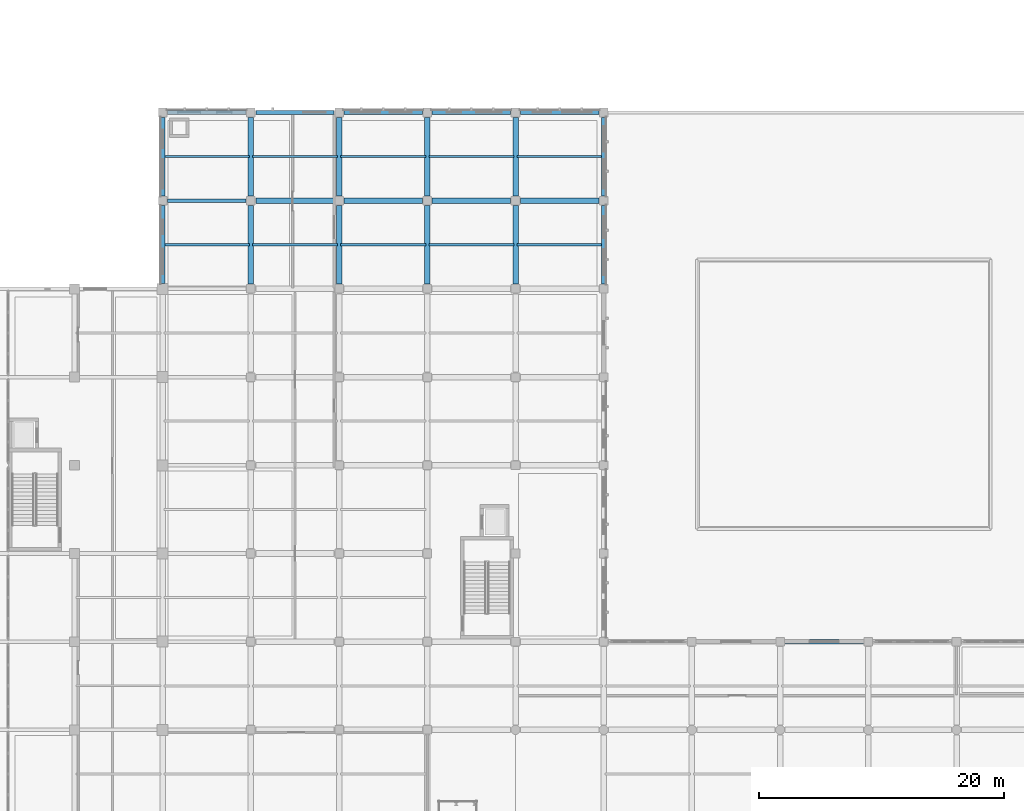
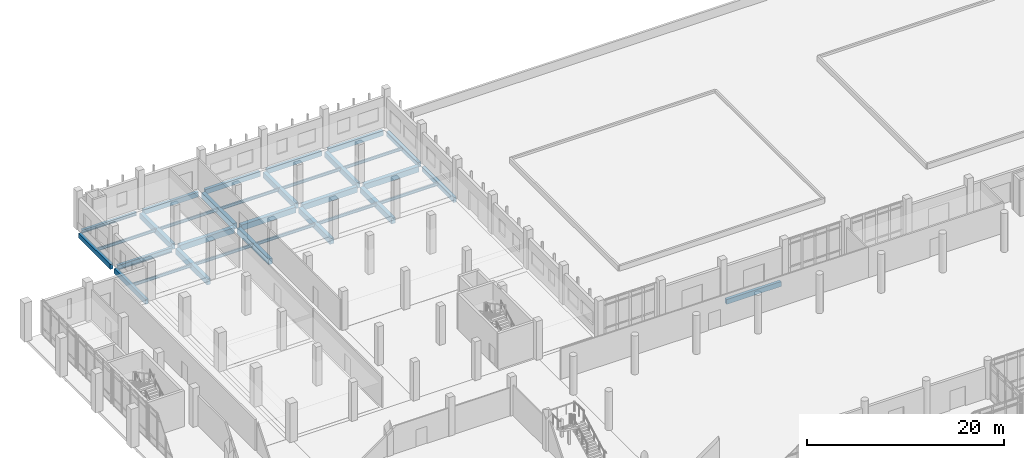
# One storey, part 23 of 59: 33 beams.
"""IFC4 building model written with IfcOpenShell, lengths in metres."""

from ifc_helpers import new_model, si_unit, direction, frame, origin, origin_2d, place, context, subcontext, project, spatial, rectangle, i_section, extrude, material, material_profile, profile_set, type_object, element, save


model = new_model("IFC4")

# Units and contexts
model_context = context("Model", 3, precision=1e-05, world=origin(), true_north=direction((0.0, 1.0)))
body_context = subcontext(model_context, "Body", "Model", "MODEL_VIEW")
ifc_project = project(units=[si_unit("LENGTHUNIT", "METRE"), si_unit("AREAUNIT", "SQUARE_METRE"), si_unit("VOLUMEUNIT", "CUBIC_METRE"), si_unit("PLANEANGLEUNIT", "RADIAN"), si_unit("MASSUNIT", "GRAM", prefix="KILO")], contexts=[model_context])

# Site, building, storey
site_placement = place(None, origin())
site = spatial("IfcSite", under=ifc_project, at=site_placement, CompositionType="ELEMENT")
building_placement = place(site_placement, origin())
building = spatial("IfcBuilding", under=site, at=building_placement, Name="Valkovuoma Quantum and Materials Research Institute", CompositionType="ELEMENT")
storey_placement = place(building_placement, origin())
storey = spatial("IfcBuildingStorey", under=building, at=storey_placement, Name="L00", CompositionType="ELEMENT", Elevation=0.0)

# Beams
ifc_material_1 = material(Name="Steel S355J2", Category="steel")
ifc_material_profile_1 = material_profile(ifc_material_1, i_section(OverallWidth=0.300048828125, OverallDepth=0.389892578125, WebThickness=0.010986328125, FlangeThickness=0.01904296875, FilletRadius=0.027099609375, at=origin_2d()), Name="Steel S355J2")
ifc_profile_set_1 = profile_set([ifc_material_profile_1], Name="Steel S355J2")
beam_type_1 = type_object("IfcBeamType", Name="Beam-B-HEA400", PredefinedType="SPANDREL", material=ifc_profile_set_1)
beam_1_placement = place(storey_placement, frame((14.800048828125, 108.0, -0.594970703125), z_axis=(1.0, 0.0, 0.0), x_axis=(0.0, 1.0, 0.0)))
element("IfcBeam", 1, at=beam_1_placement, inside=storey, type_object=beam_type_1, Name="L00 beam X-0185", PredefinedType="SPANDREL", context=body_context, shape_type="SweptSolid", body=[
    extrude(i_section(OverallWidth=0.300048828125, OverallDepth=0.389892578125, WebThickness=0.010986328125, FlangeThickness=0.01904296875, FilletRadius=0.027099609375, at=origin_2d()), origin(), (0.0, 0.0, 1.0), 6.39990234375),
])
ifc_material_2 = material(Name="Steel S355J2", Category="steel")
ifc_material_profile_2 = material_profile(ifc_material_2, i_section(OverallWidth=0.300048828125, OverallDepth=0.60009765625, WebThickness=0.015380859375, FlangeThickness=0.030029296875, FilletRadius=0.027099609375, at=origin_2d()), Name="Steel S355J2")
ifc_profile_set_2 = profile_set([ifc_material_profile_2], Name="Steel S355J2")
beam_type_2 = type_object("IfcBeamType", Name="Beam-B-HEB600", PredefinedType="BEAM", material=ifc_profile_set_2)
beam_2_placement = place(storey_placement, frame((14.800048828125, 100.800048828125, -0.699951171875), z_axis=(1.0, 0.0, 0.0), x_axis=(0.0, 1.0, 0.0)))
element("IfcBeam", 2, at=beam_2_placement, inside=storey, type_object=beam_type_2, Name="L00 beam X-0175", PredefinedType="BEAM", context=body_context, shape_type="SweptSolid", body=[
    extrude(i_section(OverallWidth=0.300048828125, OverallDepth=0.60009765625, WebThickness=0.015380859375, FlangeThickness=0.030029296875, FilletRadius=0.027099609375, at=origin_2d()), origin(), (0.0, 0.0, 1.0), 6.39990234375),
])
ifc_material_3 = material(Name="Steel S355J2", Category="steel")
ifc_material_profile_3 = material_profile(ifc_material_3, i_section(OverallWidth=0.169921875, OverallDepth=0.360107421875, WebThickness=0.008056640625, FlangeThickness=0.0126953125, FilletRadius=0.01806640625, at=origin_2d()), Name="Steel S355J2")
ifc_profile_set_3 = profile_set([ifc_material_profile_3], Name="Steel S355J2")
beam_type_3 = type_object("IfcBeamType", Name="Beam-B-JST360", PredefinedType="JOIST", material=ifc_profile_set_3)
for number, where, z_axis, x_axis, name in (
    (3, (14.52001953125, 97.199951171875, -0.580078125), (1.0, 0.0, 0.0), (0.0, 1.0, 0.0), "L00 floor joist 0525"),
    (4, (21.719970703125, 97.199951171875, -0.580078125), (1.0, 0.0, 0.0), (0.0, 1.0, 0.0), "L00 floor joist 0526"),
    (5, (28.919921875, 97.199951171875, -0.580078125), (1.0, 0.0, 0.0), (0.0, 1.0, 0.0), "L00 floor joist 0527"),
    (6, (36.1201171875, 97.199951171875, -0.580078125), (1.0, 0.0, 0.0), (0.0, 1.0, 0.0), "L00 floor joist 0528"),
    (7, (43.320068359375, 97.199951171875, -0.580078125), (1.0, 0.0, 0.0), (0.0, 1.0, 0.0), "L00 floor joist 0529"),
    (8, (14.52001953125, 104.39990234375, -0.580078125), (1.0, 0.0, 0.0), (0.0, 1.0, 0.0), "L00 floor joist 0535"),
    (9, (21.719970703125, 104.39990234375, -0.580078125), (1.0, 0.0, 0.0), (0.0, 1.0, 0.0), "L00 floor joist 0536"),
    (10, (28.919921875, 104.39990234375, -0.580078125), (1.0, 0.0, 0.0), (0.0, 1.0, 0.0), "L00 floor joist 0537"),
    (11, (36.1201171875, 104.39990234375, -0.580078125), (1.0, 0.0, 0.0), (0.0, 1.0, 0.0), "L00 floor joist 0538"),
    (12, (43.320068359375, 104.39990234375, -0.580078125), (1.0, 0.0, 0.0), (0.0, 1.0, 0.0), "L00 floor joist 0539"),
):
    element("IfcBeam", number, at=place(storey_placement, frame(where, z_axis=z_axis, x_axis=x_axis)), inside=storey, type_object=beam_type_3, Name=name, PredefinedType="JOIST", context=body_context, shape_type="SweptSolid", body=[
        extrude(i_section(OverallWidth=0.169921875, OverallDepth=0.360107421875, WebThickness=0.008056640625, FlangeThickness=0.0126953125, FilletRadius=0.01806640625, at=origin_2d()), origin(), (0.0, 0.0, 1.0), 6.9599609375),
    ])
ifc_material_4 = material(Name="Concrete C40/50", Category="concrete")
ifc_material_profile_4 = material_profile(ifc_material_4, rectangle(XDim=0.449951171875, YDim=0.699951171875, at=origin_2d()), Name="Concrete C40/50")
ifc_profile_set_4 = profile_set([ifc_material_profile_4], Name="Concrete C40/50")
beam_type_4 = type_object("IfcBeamType", Name="Beam-B-RC700", PredefinedType="BEAM", material=ifc_profile_set_4)
beam_3_placement = place(storey_placement, frame((22.0, 100.800048828125, -0.75), z_axis=(1.0, 0.0, 0.0), x_axis=(0.0, 1.0, 0.0)))
element("IfcBeam", 13, at=beam_3_placement, inside=storey, type_object=beam_type_4, Name="L00 beam X-0176", PredefinedType="BEAM", context=body_context, shape_type="SweptSolid", body=[
    extrude(rectangle(XDim=0.449951171875, YDim=0.699951171875, at=origin_2d()), origin(), (0.0, 0.0, 1.0), 6.39990234375),
])
for number, where, z_axis, x_axis, name in (
    (14, (29.199951171875, 100.800048828125, -0.75), (1.0, 0.0, 0.0), (0.0, 1.0, 0.0), "L00 beam X-0177"),
    (15, (36.39990234375, 100.800048828125, -0.75), (1.0, 0.0, 0.0), (0.0, 1.0, 0.0), "L00 beam X-0178"),
):
    element("IfcBeam", number, at=place(storey_placement, frame(where, z_axis=z_axis, x_axis=x_axis)), inside=storey, type_object=beam_type_4, Name=name, PredefinedType="BEAM", context=body_context, shape_type="SweptSolid", body=[
        extrude(rectangle(XDim=0.449951171875, YDim=0.699951171875, at=origin_2d()), origin(), (0.0, 0.0, 1.0), 6.400146484375),
    ])
for number, where, z_axis, x_axis, name in (
    (16, (43.60009765625, 100.800048828125, -0.75), (1.0, 0.0, 0.0), (0.0, 1.0, 0.0), "L00 beam X-0179"),
    (17, (21.60009765625, 94.0, -0.75), (0.0, 1.0, 0.0), (-1.0, 0.0, 0.0), "L00 beam Y-0224"),
):
    element("IfcBeam", number, at=place(storey_placement, frame(where, z_axis=z_axis, x_axis=x_axis)), inside=storey, type_object=beam_type_4, Name=name, PredefinedType="BEAM", context=body_context, shape_type="SweptSolid", body=[
        extrude(rectangle(XDim=0.449951171875, YDim=0.699951171875, at=origin_2d()), origin(), (0.0, 0.0, 1.0), 6.39990234375),
    ])
beam_4_placement = place(storey_placement, frame((21.60009765625, 101.199951171875, -0.75), z_axis=(0.0, 1.0, 0.0), x_axis=(-1.0, 0.0, 0.0)))
element("IfcBeam", 18, at=beam_4_placement, inside=storey, type_object=beam_type_4, Name="L00 beam Y-0225", PredefinedType="BEAM", context=body_context, shape_type="SweptSolid", body=[
    extrude(rectangle(XDim=0.449951171875, YDim=0.699951171875, at=origin_2d()), origin(), (0.0, 0.0, 1.0), 6.400146484375),
])
beam_5_placement = place(storey_placement, frame((28.800048828125, 94.0, -0.75), z_axis=(0.0, 1.0, 0.0), x_axis=(-1.0, 0.0, 0.0)))
element("IfcBeam", 19, at=beam_5_placement, inside=storey, type_object=beam_type_4, Name="L00 beam Y-0234", PredefinedType="BEAM", context=body_context, shape_type="SweptSolid", body=[
    extrude(rectangle(XDim=0.449951171875, YDim=0.699951171875, at=origin_2d()), origin(), (0.0, 0.0, 1.0), 6.39990234375),
])
beam_6_placement = place(storey_placement, frame((28.800048828125, 101.199951171875, -0.75), z_axis=(0.0, 1.0, 0.0), x_axis=(-1.0, 0.0, 0.0)))
element("IfcBeam", 20, at=beam_6_placement, inside=storey, type_object=beam_type_4, Name="L00 beam Y-0235", PredefinedType="BEAM", context=body_context, shape_type="SweptSolid", body=[
    extrude(rectangle(XDim=0.449951171875, YDim=0.699951171875, at=origin_2d()), origin(), (0.0, 0.0, 1.0), 6.400146484375),
])
beam_7_placement = place(storey_placement, frame((36.0, 94.0, -0.75), z_axis=(0.0, 1.0, 0.0), x_axis=(-1.0, 0.0, 0.0)))
element("IfcBeam", 21, at=beam_7_placement, inside=storey, type_object=beam_type_4, Name="L00 beam Y-0244", PredefinedType="BEAM", context=body_context, shape_type="SweptSolid", body=[
    extrude(rectangle(XDim=0.449951171875, YDim=0.699951171875, at=origin_2d()), origin(), (0.0, 0.0, 1.0), 6.39990234375),
])
beam_8_placement = place(storey_placement, frame((36.0, 101.199951171875, -0.75), z_axis=(0.0, 1.0, 0.0), x_axis=(-1.0, 0.0, 0.0)))
element("IfcBeam", 22, at=beam_8_placement, inside=storey, type_object=beam_type_4, Name="L00 beam Y-0245", PredefinedType="BEAM", context=body_context, shape_type="SweptSolid", body=[
    extrude(rectangle(XDim=0.449951171875, YDim=0.699951171875, at=origin_2d()), origin(), (0.0, 0.0, 1.0), 6.400146484375),
])
beam_9_placement = place(storey_placement, frame((43.199951171875, 94.0, -0.75), z_axis=(0.0, 1.0, 0.0), x_axis=(-1.0, 0.0, 0.0)))
element("IfcBeam", 23, at=beam_9_placement, inside=storey, type_object=beam_type_4, Name="L00 beam Y-0250", PredefinedType="BEAM", context=body_context, shape_type="SweptSolid", body=[
    extrude(rectangle(XDim=0.449951171875, YDim=0.699951171875, at=origin_2d()), origin(), (0.0, 0.0, 1.0), 6.39990234375),
])
beam_10_placement = place(storey_placement, frame((43.199951171875, 101.199951171875, -0.75), z_axis=(0.0, 1.0, 0.0), x_axis=(-1.0, 0.0, 0.0)))
element("IfcBeam", 24, at=beam_10_placement, inside=storey, type_object=beam_type_4, Name="L00 beam Y-0251", PredefinedType="BEAM", context=body_context, shape_type="SweptSolid", body=[
    extrude(rectangle(XDim=0.449951171875, YDim=0.699951171875, at=origin_2d()), origin(), (0.0, 0.0, 1.0), 6.400146484375),
])
ifc_material_5 = material(Name="Concrete C40/50", Category="concrete")
ifc_material_profile_5 = material_profile(ifc_material_5, rectangle(XDim=0.35009765625, YDim=0.60009765625, at=origin_2d()), Name="Concrete C40/50")
ifc_profile_set_5 = profile_set([ifc_material_profile_5], Name="Concrete C40/50")
beam_type_5 = type_object("IfcBeamType", Name="Beam-B-SPN600", PredefinedType="SPANDREL", material=ifc_profile_set_5)
beam_11_placement = place(storey_placement, frame((65.199951171875, 64.800048828125, -0.699951171875), z_axis=(1.0, 0.0, 0.0), x_axis=(0.0, 1.0, 0.0)))
element("IfcBeam", 25, at=beam_11_placement, inside=storey, type_object=beam_type_5, Name="L00 beam X-0121", PredefinedType="SPANDREL", context=body_context, shape_type="SweptSolid", body=[
    extrude(rectangle(XDim=0.35009765625, YDim=0.60009765625, at=origin_2d()), origin(), (0.0, 0.0, 1.0), 6.400146484375),
])
beam_12_placement = place(storey_placement, frame((22.0, 108.0, -0.699951171875), z_axis=(1.0, 0.0, 0.0), x_axis=(0.0, 1.0, 0.0)))
element("IfcBeam", 26, at=beam_12_placement, inside=storey, type_object=beam_type_5, Name="L00 beam X-0186", PredefinedType="SPANDREL", context=body_context, shape_type="SweptSolid", body=[
    extrude(rectangle(XDim=0.35009765625, YDim=0.60009765625, at=origin_2d()), origin(), (0.0, 0.0, 1.0), 6.39990234375),
])
for number, where, z_axis, x_axis, name in (
    (27, (29.199951171875, 108.0, -0.699951171875), (1.0, 0.0, 0.0), (0.0, 1.0, 0.0), "L00 beam X-0187"),
    (28, (36.39990234375, 108.0, -0.699951171875), (1.0, 0.0, 0.0), (0.0, 1.0, 0.0), "L00 beam X-0188"),
):
    element("IfcBeam", number, at=place(storey_placement, frame(where, z_axis=z_axis, x_axis=x_axis)), inside=storey, type_object=beam_type_5, Name=name, PredefinedType="SPANDREL", context=body_context, shape_type="SweptSolid", body=[
        extrude(rectangle(XDim=0.35009765625, YDim=0.60009765625, at=origin_2d()), origin(), (0.0, 0.0, 1.0), 6.400146484375),
    ])
beam_13_placement = place(storey_placement, frame((43.60009765625, 108.0, -0.699951171875), z_axis=(1.0, 0.0, 0.0), x_axis=(0.0, 1.0, 0.0)))
element("IfcBeam", 29, at=beam_13_placement, inside=storey, type_object=beam_type_5, Name="L00 beam X-0189", PredefinedType="SPANDREL", context=body_context, shape_type="SweptSolid", body=[
    extrude(rectangle(XDim=0.35009765625, YDim=0.60009765625, at=origin_2d()), origin(), (0.0, 0.0, 1.0), 6.39990234375),
])
beam_14_placement = place(storey_placement, frame((14.39990234375, 94.050048828125, -0.699951171875), z_axis=(0.0, 1.0, 0.0), x_axis=(-1.0, 0.0, 0.0)))
element("IfcBeam", 30, at=beam_14_placement, inside=storey, type_object=beam_type_5, Name="L00 beam Y-0214", PredefinedType="SPANDREL", context=body_context, shape_type="SweptSolid", body=[
    extrude(rectangle(XDim=0.35009765625, YDim=0.60009765625, at=origin_2d()), origin(), (0.0, 0.0, 1.0), 6.349853515625),
])
beam_15_placement = place(storey_placement, frame((14.39990234375, 101.199951171875, -0.699951171875), z_axis=(0.0, 1.0, 0.0), x_axis=(-1.0, 0.0, 0.0)))
element("IfcBeam", 31, at=beam_15_placement, inside=storey, type_object=beam_type_5, Name="L00 beam Y-0215", PredefinedType="SPANDREL", context=body_context, shape_type="SweptSolid", body=[
    extrude(rectangle(XDim=0.35009765625, YDim=0.60009765625, at=origin_2d()), origin(), (0.0, 0.0, 1.0), 6.400146484375),
])
beam_16_placement = place(storey_placement, frame((50.39990234375, 94.0, -0.699951171875), z_axis=(0.0, 1.0, 0.0), x_axis=(-1.0, 0.0, 0.0)))
element("IfcBeam", 32, at=beam_16_placement, inside=storey, type_object=beam_type_5, Name="L00 beam Y-0260", PredefinedType="SPANDREL", context=body_context, shape_type="SweptSolid", body=[
    extrude(rectangle(XDim=0.35009765625, YDim=0.60009765625, at=origin_2d()), origin(), (0.0, 0.0, 1.0), 6.39990234375),
])
beam_17_placement = place(storey_placement, frame((50.39990234375, 101.199951171875, -0.699951171875), z_axis=(0.0, 1.0, 0.0), x_axis=(-1.0, 0.0, 0.0)))
element("IfcBeam", 33, at=beam_17_placement, inside=storey, type_object=beam_type_5, Name="L00 beam Y-0261", PredefinedType="SPANDREL", context=body_context, shape_type="SweptSolid", body=[
    extrude(rectangle(XDim=0.35009765625, YDim=0.60009765625, at=origin_2d()), origin(), (0.0, 0.0, 1.0), 6.400146484375),
])

save(model, "model.ifc")
